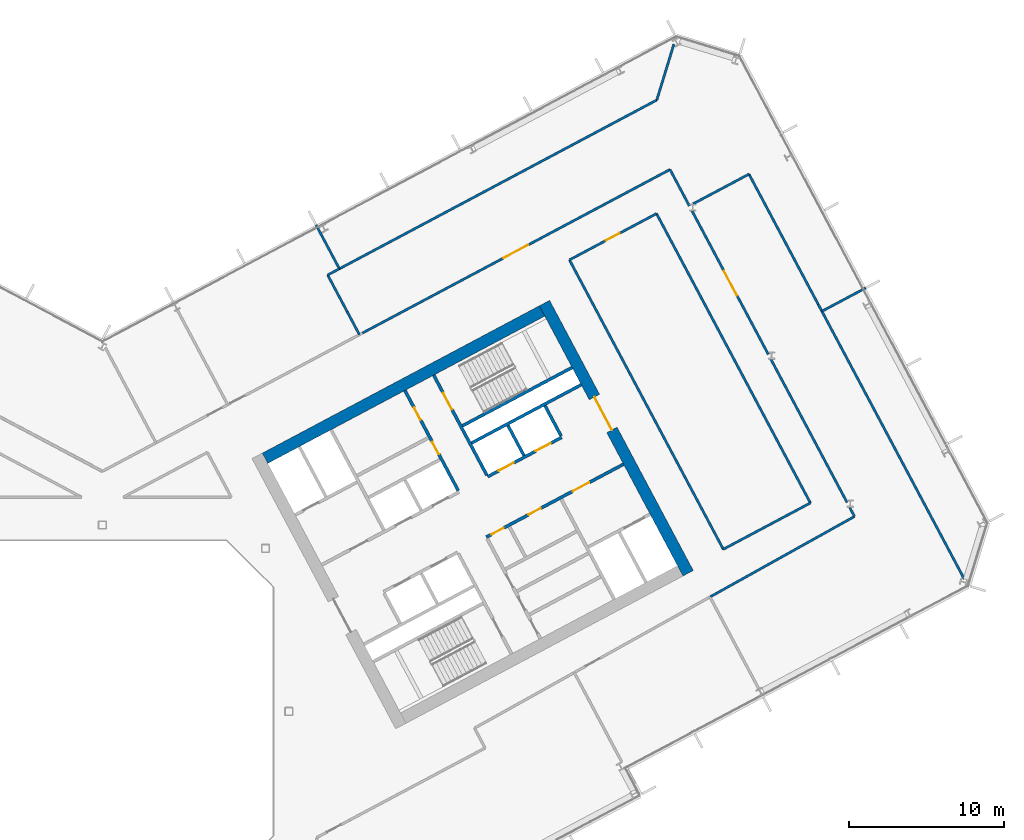
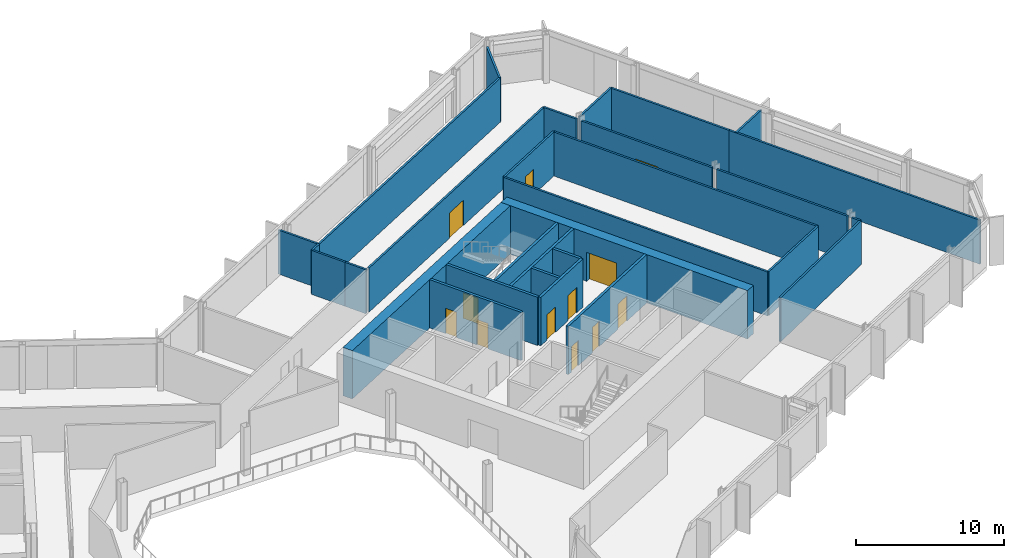
# One storey, part 17 of 28: 30 walls, 12 doors, 12 openings.
"""IFC4 building model written with IfcOpenShell, lengths in metres."""

from ifc_helpers import new_model, si_unit, direction, frame, frame_2d, origin, place, context, subcontext, project, spatial, rectangle, extrude, material, layer, layer_set, type_object, element, fill, save


model = new_model("IFC4")

# Units and contexts
model_context = context("Model", 3, precision=1e-05, world=origin(), true_north=direction((0.0, 1.0)))
body_context = subcontext(model_context, "Body", "Model", "MODEL_VIEW")
ifc_project = project(units=[si_unit("LENGTHUNIT", "METRE"), si_unit("AREAUNIT", "SQUARE_METRE"), si_unit("VOLUMEUNIT", "CUBIC_METRE"), si_unit("PLANEANGLEUNIT", "RADIAN"), si_unit("MASSUNIT", "GRAM", prefix="KILO")], contexts=[model_context])

# Site, building, storey
site_placement = place(None, origin())
site = spatial("IfcSite", under=ifc_project, at=site_placement, CompositionType="ELEMENT")
building_placement = place(site_placement, origin())
building = spatial("IfcBuilding", under=site, at=building_placement, Name="Cormorant Relay Tower", CompositionType="ELEMENT")
storey_placement = place(building_placement, frame((0.0, 0.0, 122.199951171875)))
storey = spatial("IfcBuildingStorey", under=building, at=storey_placement, Name="L24", CompositionType="ELEMENT", Elevation=122.199951171875)

# Wall
ifc_material_1 = material(Name="Concrete 40 MPa", Category="concrete")
ifc_layer_1 = layer(ifc_material_1, 0.199951171875)
ifc_layer_set_1 = layer_set([ifc_layer_1], Name="Core internal wall 200")
wall_type_1 = type_object("IfcWallType", Name="Core internal wall 200", PredefinedType="SOLIDWALL", material=ifc_layer_set_1)
wall_1_placement = place(storey_placement, frame((27.144287109375, 16.471435546875, 0.0), z_axis=(0.0, 0.0, 1.0), x_axis=(-0.469401318492, 0.882984938828, 0.0)))
element("IfcWall", 1, at=wall_1_placement, inside=storey, type_object=wall_type_1, Name="L24 core B shaft and room wall", PredefinedType="SOLIDWALL", context=body_context, shape_type="SweptSolid", body=[
    extrude(rectangle(XDim=2.199951171875, YDim=0.199951171875, at=frame_2d((1.10009765625, 0.0))), origin(), (0.0, 0.0, 1.0), 4.0),
])

# Wall, openings, doors
ifc_material_2 = material(Name="Concrete 50 MPa", Category="concrete")
ifc_layer_2 = layer(ifc_material_2, 0.199951171875)
ifc_layer_set_2 = layer_set([ifc_layer_2], Name="Core shaft wall 200")
wall_type_2 = type_object("IfcWallType", Name="Core shaft wall 200", PredefinedType="SHEAR", material=ifc_layer_set_2)
wall_2_placement = place(storey_placement, frame((22.90625, 14.218017578125, 0.0), z_axis=(0.0, 0.0, 1.0), x_axis=(-0.469480409012, 0.88294288918, 0.0)))
wall_2 = element("IfcWall", 2, at=wall_2_placement, inside=storey, type_object=wall_type_2, Name="L24 core B shaft wall", PredefinedType="SHEAR", context=body_context, shape_type="SweptSolid", body=[
    extrude(rectangle(XDim=7.300048828125, YDim=0.199951171875, at=frame_2d((3.64990234375, 0.0))), origin(), (0.0, 0.0, 1.0), 4.0),
])
opening_1_placement = place(wall_2_placement, frame((2.64990234375, 0.0, 0.0)))
opening_1 = element("IfcOpeningElement", 3, at=opening_1_placement, cuts=wall_2, Name="Opening CDD-179", PredefinedType="OPENING", context=body_context, shape_type="SweptSolid", body=[
    extrude(rectangle(XDim=0.89990234375, YDim=2.10009765625, at=frame_2d((0.449951171875, 1.050048828125))), frame((0.0, 0.10986328125, 0.0), z_axis=(0.0, -1.0, 0.0), x_axis=(1.0, 0.0, 0.0)), (0.0, 0.0, 1.0), 0.219970703125),
])
opening_2_placement = place(wall_2_placement, frame((5.14990234375, 0.0, 0.0)))
opening_2 = element("IfcOpeningElement", 4, at=opening_2_placement, cuts=wall_2, Name="Opening CDD-180", PredefinedType="OPENING", context=body_context, shape_type="SweptSolid", body=[
    extrude(rectangle(XDim=0.89990234375, YDim=2.10009765625, at=frame_2d((0.449951171875, 1.050048828125))), frame((0.0, 0.10986328125, 0.0), z_axis=(0.0, -1.0, 0.0), x_axis=(1.0, 0.0, 0.0)), (0.0, 0.0, 1.0), 0.219970703125),
])
ifc_material_3 = material(Name="Steel fire door", Category="steel")
door_type_1 = type_object("IfcDoorType", Name="Core room door 900x2100", OperationType="SINGLE_SWING_LEFT", PredefinedType="DOOR", material=ifc_material_3)
door_1_placement = place(opening_1_placement, frame((0.89990234375, 0.0, 0.0), z_axis=(0.0, 0.0, 1.0), x_axis=(-1.0, 0.0, 0.0)))
door_1 = element("IfcDoor", 5, at=door_1_placement, inside=storey, type_object=door_type_1, Name="Core room door 900x2100", OperationType="SINGLE_SWING_LEFT", OverallHeight=2.10009765625, OverallWidth=0.89990234375, PredefinedType="DOOR", context=body_context, shape_type="SweptSolid", body=[
    extrude(rectangle(XDim=0.89990234375, YDim=2.10009765625, at=frame_2d((0.449951171875, 1.050048828125))), frame((0.0, 0.02490234375, 0.0), z_axis=(0.0, -1.0, 0.0), x_axis=(1.0, 0.0, 0.0)), (0.0, 0.0, 1.0), 0.050048828125),
])
fill(opening_1, door_1)
door_2_placement = place(opening_2_placement, frame((0.89990234375, 0.0, 0.0), z_axis=(0.0, 0.0, 1.0), x_axis=(-1.0, 0.0, 0.0)))
door_2 = element("IfcDoor", 6, at=door_2_placement, inside=storey, type_object=door_type_1, Name="Core room door 900x2100", OperationType="SINGLE_SWING_LEFT", OverallHeight=2.10009765625, OverallWidth=0.89990234375, PredefinedType="DOOR", context=body_context, shape_type="SweptSolid", body=[
    extrude(rectangle(XDim=0.89990234375, YDim=2.10009765625, at=frame_2d((0.449951171875, 1.050048828125))), frame((0.0, 0.02490234375, 0.0), z_axis=(0.0, -1.0, 0.0), x_axis=(1.0, 0.0, 0.0)), (0.0, 0.0, 1.0), 0.050048828125),
])
fill(opening_2, door_2)

# Wall, opening, door
wall_3_placement = place(storey_placement, frame((24.760498046875, 15.2041015625, 0.0), z_axis=(0.0, 0.0, 1.0), x_axis=(-0.469494272526, 0.882935517501, 0.0)))
wall_3 = element("IfcWall", 7, at=wall_3_placement, inside=storey, type_object=wall_type_2, Name="L24 core B shaft wall", PredefinedType="SHEAR", context=body_context, shape_type="SweptSolid", body=[
    extrude(rectangle(XDim=7.2998046875, YDim=0.199951171875, at=frame_2d((3.64990234375, 0.0))), origin(), (0.0, 0.0, 1.0), 4.0),
])
opening_3_placement = place(wall_3_placement, frame((4.800048828125, 0.0, 0.0)))
opening_3 = element("IfcOpeningElement", 8, at=opening_3_placement, cuts=wall_3, Name="Opening CDB-037", PredefinedType="OPENING", context=body_context, shape_type="SweptSolid", body=[
    extrude(rectangle(XDim=1.199951171875, YDim=2.10009765625, at=frame_2d((0.60009765625, 1.050048828125))), frame((0.0, 0.10986328125, 0.0), z_axis=(0.0, -1.0, 0.0), x_axis=(1.0, 0.0, 0.0)), (0.0, 0.0, 1.0), 0.219970703125),
])
ifc_material_4 = material(Name="Steel fire door", Category="steel")
door_type_2 = type_object("IfcDoorType", Name="Core stair door 1200x2100", OperationType="SINGLE_SWING_LEFT", PredefinedType="DOOR", material=ifc_material_4)
door_3_placement = place(opening_3_placement, frame((1.199951171875, 0.0, 0.0), z_axis=(0.0, 0.0, 1.0), x_axis=(-1.0, 0.0, 0.0)))
door_3 = element("IfcDoor", 9, at=door_3_placement, inside=storey, type_object=door_type_2, Name="Core stair door 1200x2100", OperationType="SINGLE_SWING_RIGHT", OverallHeight=2.10009765625, OverallWidth=1.199951171875, PredefinedType="DOOR", context=body_context, shape_type="SweptSolid", body=[
    extrude(rectangle(XDim=1.199951171875, YDim=2.10009765625, at=frame_2d((0.60009765625, 1.050048828125))), frame((0.0, 0.02490234375, 0.0), z_axis=(0.0, -1.0, 0.0), x_axis=(1.0, 0.0, 0.0)), (0.0, 0.0, 1.0), 0.050048828125),
])
fill(opening_3, door_3)

# Wall
wall_4_placement = place(storey_placement, frame((29.5283203125, 17.739013671875, 0.0), z_axis=(0.0, 0.0, 1.0), x_axis=(-0.469401318492, 0.882984938828, 0.0)))
element("IfcWall", 10, at=wall_4_placement, inside=storey, type_object=wall_type_2, Name="L24 core B shaft wall", PredefinedType="SHEAR", context=body_context, shape_type="SweptSolid", body=[
    extrude(rectangle(XDim=2.199951171875, YDim=0.199951171875, at=frame_2d((1.10009765625, 0.0))), origin(), (0.0, 0.0, 1.0), 4.0),
])

# Wall, openings, doors
wall_5_placement = place(storey_placement, frame((24.72607421875, 11.2216796875, 0.0), z_axis=(0.0, 0.0, 1.0), x_axis=(0.882940221191, 0.469485426614, 0.0)))
wall_5 = element("IfcWall", 11, at=wall_5_placement, inside=storey, type_object=wall_type_2, Name="L24 core B shaft wall", PredefinedType="SHEAR", context=body_context, shape_type="SweptSolid", body=[
    extrude(rectangle(XDim=10.0, YDim=0.199951171875, at=frame_2d((5.0, 0.0))), origin(), (0.0, 0.0, 1.0), 4.0),
])
opening_4_placement = place(wall_5_placement, frame((6.300048828125, 0.0, 0.0)))
opening_4 = element("IfcOpeningElement", 12, at=opening_4_placement, cuts=wall_5, Name="Opening CDC-028", PredefinedType="OPENING", context=body_context, shape_type="SweptSolid", body=[
    extrude(rectangle(XDim=1.199951171875, YDim=2.10009765625, at=frame_2d((0.60009765625, 1.050048828125))), frame((0.0, 0.10986328125, 0.0), z_axis=(0.0, -1.0, 0.0), x_axis=(1.0, 0.0, 0.0)), (0.0, 0.0, 1.0), 0.219970703125),
])
opening_5_placement = place(wall_5_placement, frame((0.360107421875, 0.0, 0.0)))
opening_5 = element("IfcOpeningElement", 13, at=opening_5_placement, cuts=wall_5, Name="Opening CDD-177", PredefinedType="OPENING", context=body_context, shape_type="SweptSolid", body=[
    extrude(rectangle(XDim=0.89990234375, YDim=2.10009765625, at=frame_2d((0.449951171875, 1.050048828125))), frame((0.0, 0.10986328125, 0.0), z_axis=(0.0, -1.0, 0.0), x_axis=(1.0, 0.0, 0.0)), (0.0, 0.0, 1.0), 0.219970703125),
])
opening_6_placement = place(wall_5_placement, frame((3.06005859375, 0.0, 0.0)))
opening_6 = element("IfcOpeningElement", 14, at=opening_6_placement, cuts=wall_5, Name="Opening CDD-178", PredefinedType="OPENING", context=body_context, shape_type="SweptSolid", body=[
    extrude(rectangle(XDim=0.89990234375, YDim=2.10009765625, at=frame_2d((0.449951171875, 1.050048828125))), frame((0.0, 0.10986328125, 0.0), z_axis=(0.0, -1.0, 0.0), x_axis=(1.0, 0.0, 0.0)), (0.0, 0.0, 1.0), 0.219970703125),
])
ifc_material_5 = material(Name="Steel fire door", Category="steel")
door_type_3 = type_object("IfcDoorType", Name="Core lobby door 1200x2100", OperationType="SINGLE_SWING_LEFT", PredefinedType="DOOR", material=ifc_material_5)
door_4_placement = place(opening_4_placement, frame((1.199951171875, 0.0, 0.0), z_axis=(0.0, 0.0, 1.0), x_axis=(-1.0, 0.0, 0.0)))
door_4 = element("IfcDoor", 15, at=door_4_placement, inside=storey, type_object=door_type_3, Name="Core lobby door 1200x2100", OperationType="SINGLE_SWING_RIGHT", OverallHeight=2.10009765625, OverallWidth=1.199951171875, PredefinedType="DOOR", context=body_context, shape_type="SweptSolid", body=[
    extrude(rectangle(XDim=1.199951171875, YDim=2.10009765625, at=frame_2d((0.60009765625, 1.050048828125))), frame((0.0, 0.02490234375, 0.0), z_axis=(0.0, -1.0, 0.0), x_axis=(1.0, 0.0, 0.0)), (0.0, 0.0, 1.0), 0.050048828125),
])
fill(opening_4, door_4)
door_5_placement = place(opening_5_placement, frame((0.89990234375, 0.0, 0.0), z_axis=(0.0, 0.0, 1.0), x_axis=(-1.0, 0.0, 0.0)))
door_5 = element("IfcDoor", 16, at=door_5_placement, inside=storey, type_object=door_type_1, Name="Core room door 900x2100", OperationType="SINGLE_SWING_RIGHT", OverallHeight=2.10009765625, OverallWidth=0.89990234375, PredefinedType="DOOR", context=body_context, shape_type="SweptSolid", body=[
    extrude(rectangle(XDim=0.89990234375, YDim=2.10009765625, at=frame_2d((0.449951171875, 1.050048828125))), frame((0.0, 0.02490234375, 0.0), z_axis=(0.0, -1.0, 0.0), x_axis=(1.0, 0.0, 0.0)), (0.0, 0.0, 1.0), 0.050048828125),
])
fill(opening_5, door_5)
door_6_placement = place(opening_6_placement, frame((0.89990234375, 0.0, 0.0), z_axis=(0.0, 0.0, 1.0), x_axis=(-1.0, 0.0, 0.0)))
door_6 = element("IfcDoor", 17, at=door_6_placement, inside=storey, type_object=door_type_1, Name="Core room door 900x2100", OperationType="SINGLE_SWING_RIGHT", OverallHeight=2.10009765625, OverallWidth=0.89990234375, PredefinedType="DOOR", context=body_context, shape_type="SweptSolid", body=[
    extrude(rectangle(XDim=0.89990234375, YDim=2.10009765625, at=frame_2d((0.449951171875, 1.050048828125))), frame((0.0, 0.02490234375, 0.0), z_axis=(0.0, -1.0, 0.0), x_axis=(1.0, 0.0, 0.0)), (0.0, 0.0, 1.0), 0.050048828125),
])
fill(opening_6, door_6)

wall_6_placement = place(storey_placement, frame((24.807373046875, 15.11572265625, 0.0), z_axis=(0.0, 0.0, 1.0), x_axis=(0.882942972946, 0.469480251476, 0.0)))
wall_6 = element("IfcWall", 18, at=wall_6_placement, inside=storey, type_object=wall_type_2, Name="L24 core B shaft wall", PredefinedType="SHEAR", context=body_context, shape_type="SweptSolid", body=[
    extrude(rectangle(XDim=5.39990234375, YDim=0.199951171875, at=frame_2d((2.699951171875, 0.0))), origin(), (0.0, 0.0, 1.0), 4.0),
])
opening_7_placement = place(wall_6_placement, frame((0.800048828125, 0.0, 0.0)))
opening_7 = element("IfcOpeningElement", 19, at=opening_7_placement, cuts=wall_6, Name="Opening LD1-046", PredefinedType="OPENING", context=body_context, shape_type="SweptSolid", body=[
    extrude(rectangle(XDim=1.10009765625, YDim=2.10009765625, at=frame_2d((0.550048828125, 1.050048828125))), frame((0.0, 0.10986328125, 0.0), z_axis=(0.0, -1.0, 0.0), x_axis=(1.0, 0.0, 0.0)), (0.0, 0.0, 1.0), 0.219970703125),
])
opening_8_placement = place(wall_6_placement, frame((3.5, 0.0, 0.0)))
opening_8 = element("IfcOpeningElement", 20, at=opening_8_placement, cuts=wall_6, Name="Opening LD1-047", PredefinedType="OPENING", context=body_context, shape_type="SweptSolid", body=[
    extrude(rectangle(XDim=1.10009765625, YDim=2.10009765625, at=frame_2d((0.550048828125, 1.050048828125))), frame((0.0, 0.10986328125, 0.0), z_axis=(0.0, -1.0, 0.0), x_axis=(1.0, 0.0, 0.0)), (0.0, 0.0, 1.0), 0.219970703125),
])
ifc_material_6 = material(Name="Stainless steel 316", Category="steel")
door_type_4 = type_object("IfcDoorType", Name="Lift landing door 1100x2100", OperationType="DOUBLE_DOOR_SLIDING", PredefinedType="DOOR", material=ifc_material_6)
door_7_placement = place(opening_7_placement, origin())
door_7 = element("IfcDoor", 21, at=door_7_placement, inside=storey, type_object=door_type_4, Name="LR3 landing door", OperationType="DOUBLE_DOOR_SLIDING", OverallHeight=2.10009765625, OverallWidth=1.10009765625, PredefinedType="DOOR", context=body_context, shape_type="SweptSolid", body=[
    extrude(rectangle(XDim=1.10009765625, YDim=2.10009765625, at=frame_2d((0.550048828125, 1.050048828125))), frame((0.0, 0.02490234375, 0.0), z_axis=(0.0, -1.0, 0.0), x_axis=(1.0, 0.0, 0.0)), (0.0, 0.0, 1.0), 0.050048828125),
])
fill(opening_7, door_7)
door_8_placement = place(opening_8_placement, origin())
door_8 = element("IfcDoor", 22, at=door_8_placement, inside=storey, type_object=door_type_4, Name="LR4 landing door", OperationType="DOUBLE_DOOR_SLIDING", OverallHeight=2.10009765625, OverallWidth=1.10009765625, PredefinedType="DOOR", context=body_context, shape_type="SweptSolid", body=[
    extrude(rectangle(XDim=1.10009765625, YDim=2.10009765625, at=frame_2d((0.550048828125, 1.050048828125))), frame((0.0, 0.02490234375, 0.0), z_axis=(0.0, -1.0, 0.0), x_axis=(1.0, 0.0, 0.0)), (0.0, 0.0, 1.0), 0.050048828125),
])
fill(opening_8, door_8)

# Walls
wall_7_placement = place(storey_placement, frame((23.76904296875, 17.28173828125, 0.0), z_axis=(0.0, 0.0, 1.0), x_axis=(0.882940221191, 0.469485426614, 0.0)))
element("IfcWall", 23, at=wall_7_placement, inside=storey, type_object=wall_type_2, Name="L24 core B shaft wall", PredefinedType="SHEAR", context=body_context, shape_type="SweptSolid", body=[
    extrude(rectangle(XDim=8.0, YDim=0.199951171875, at=frame_2d((4.0, 0.0))), origin(), (0.0, 0.0, 1.0), 4.0),
])
wall_8_placement = place(storey_placement, frame((23.18212890625, 18.385498046875, 0.0), z_axis=(0.0, 0.0, 1.0), x_axis=(0.88295287151, 0.469461634952, 0.0)))
element("IfcWall", 24, at=wall_8_placement, inside=storey, type_object=wall_type_2, Name="L24 core B shaft wall", PredefinedType="SHEAR", context=body_context, shape_type="SweptSolid", body=[
    extrude(rectangle(XDim=7.999755859375, YDim=0.199951171875, at=frame_2d((4.0, 0.0))), origin(), (0.0, 0.0, 1.0), 4.0),
])

# Wall, opening, door
ifc_material_7 = material(Name="Concrete 60 MPa", Category="concrete")
ifc_layer_3 = layer(ifc_material_7, 0.75)
ifc_layer_set_3 = layer_set([ifc_layer_3], Name="Core wall 750")
wall_type_3 = type_object("IfcWallType", Name="Core wall 750", PredefinedType="SHEAR", material=ifc_layer_set_3)
wall_9_placement = place(storey_placement, frame((37.712646484375, 8.896484375, 0.0), z_axis=(0.0, 0.0, 1.0), x_axis=(-0.469469918705, 0.88294846703, 0.0)))
wall_9 = element("IfcWall", 25, at=wall_9_placement, inside=storey, type_object=wall_type_3, Name="L24 core B wall", PredefinedType="SHEAR", context=body_context, shape_type="SweptSolid", body=[
    extrude(rectangle(XDim=19.699951171875, YDim=0.75, at=frame_2d((9.85009765625, 0.0))), origin(), (0.0, 0.0, 1.0), 4.0),
])
opening_9_placement = place(wall_9_placement, frame((10.449951171875, 0.0, 0.0)))
opening_9 = element("IfcOpeningElement", 26, at=opening_9_placement, cuts=wall_9, Name="Opening CDA-029", PredefinedType="OPENING", context=body_context, shape_type="SweptSolid", body=[
    extrude(rectangle(XDim=2.39990234375, YDim=2.39990234375, at=frame_2d((1.199951171875, 1.199951171875))), frame((0.0, 0.385009765625, 0.0), z_axis=(0.0, -1.0, 0.0), x_axis=(1.0, 0.0, 0.0)), (0.0, 0.0, 1.0), 0.77001953125),
])
ifc_material_8 = material(Name="Steel fire door", Category="steel")
door_type_5 = type_object("IfcDoorType", Name="Core lobby door 2400x2400", OperationType="DOUBLE_DOOR_SINGLE_SWING", PredefinedType="DOOR", material=ifc_material_8)
door_9_placement = place(opening_9_placement, origin())
door_9 = element("IfcDoor", 27, at=door_9_placement, inside=storey, type_object=door_type_5, Name="Core lobby door 2400x2400", OperationType="DOUBLE_DOOR_SINGLE_SWING", OverallHeight=2.39990234375, OverallWidth=2.39990234375, PredefinedType="DOOR", context=body_context, shape_type="SweptSolid", body=[
    extrude(rectangle(XDim=2.39990234375, YDim=2.39990234375, at=frame_2d((1.199951171875, 1.199951171875))), frame((0.0, 0.02490234375, 0.0), z_axis=(0.0, -1.0, 0.0), x_axis=(1.0, 0.0, 0.0)), (0.0, 0.0, 1.0), 0.050048828125),
])
fill(opening_9, door_9)

# Walls
wall_10_placement = place(storey_placement, frame((10.4736328125, 16.300048828125, 0.0), z_axis=(0.0, 0.0, 1.0), x_axis=(0.88295010195, 0.469466843842, 0.0)))
element("IfcWall", 28, at=wall_10_placement, inside=storey, type_object=wall_type_3, Name="L24 core B wall", PredefinedType="SHEAR", context=body_context, shape_type="SweptSolid", body=[
    extrude(rectangle(XDim=20.199951171875, YDim=0.75, at=frame_2d((10.10009765625, 0.0))), origin(), (0.0, 0.0, 1.0), 4.0),
])
ifc_material_9 = material(Name="Gypsum board fire partition")
ifc_layer_4 = layer(ifc_material_9, 0.14990234375)
ifc_layer_set_4 = layer_set([ifc_layer_4], Name="Corridor partition 150 EI 60")
wall_type_4 = type_object("IfcWallType", Name="Corridor partition 150 EI 60", PredefinedType="PARTITIONING", material=ifc_layer_set_4)
wall_11_placement = place(storey_placement, frame((37.7890625, 32.556884765625, 0.0), z_axis=(0.0, 0.0, 1.0), x_axis=(-0.469557862383, 0.882901701139, 0.0)))
element("IfcWall", 29, at=wall_11_placement, inside=storey, type_object=wall_type_4, Name="wall/L24/part/061", PredefinedType="PARTITIONING", context=body_context, shape_type="SweptSolid", body=[
    extrude(rectangle(XDim=2.64501953125, YDim=0.14990234375, at=frame_2d((1.322509765625, 0.0))), origin(), (0.0, 0.0, 1.0), 3.64013671875),
])

# Wall, opening, door
wall_12_placement = place(storey_placement, frame((36.547119140625, 34.89208984375, 0.0), z_axis=(0.0, 0.0, 1.0), x_axis=(-0.882949665217, -0.469467665226, 0.0)))
wall_12 = element("IfcWall", 30, at=wall_12_placement, inside=storey, type_object=wall_type_4, Name="wall/L24/part/062", PredefinedType="PARTITIONING", context=body_context, shape_type="SweptSolid", body=[
    extrude(rectangle(XDim=22.431884765625, YDim=0.14990234375, at=frame_2d((11.2158203125, 0.0))), origin(), (0.0, 0.0, 1.0), 3.64013671875),
])
opening_10_placement = place(wall_12_placement, frame((10.35009765625, 0.0, 0.0)))
opening_10 = element("IfcOpeningElement", 31, at=opening_10_placement, cuts=wall_12, Name="Opening DD-003", PredefinedType="OPENING", context=body_context, shape_type="SweptSolid", body=[
    extrude(rectangle(XDim=1.800048828125, YDim=2.10009765625, at=frame_2d((0.89990234375, 1.050048828125))), frame((0.0, 0.0849609375, 0.0), z_axis=(0.0, -1.0, 0.0), x_axis=(1.0, 0.0, 0.0)), (0.0, 0.0, 1.0), 0.169921875),
])
ifc_material_10 = material(Name="Timber door leaf", Category="wood")
door_type_6 = type_object("IfcDoorType", Name="Suite double door 1800x2100", OperationType="DOUBLE_DOOR_SINGLE_SWING", PredefinedType="DOOR", material=ifc_material_10)
door_10_placement = place(opening_10_placement, frame((1.800048828125, 0.0, 0.0), z_axis=(0.0, 0.0, 1.0), x_axis=(-1.0, 0.0, 0.0)))
door_10 = element("IfcDoor", 32, at=door_10_placement, inside=storey, type_object=door_type_6, Name="door/L24/007", OperationType="DOUBLE_DOOR_SINGLE_SWING", OverallHeight=2.10009765625, OverallWidth=1.800048828125, PredefinedType="DOOR", context=body_context, shape_type="SweptSolid", body=[
    extrude(rectangle(XDim=1.800048828125, YDim=2.10009765625, at=frame_2d((0.89990234375, 1.050048828125))), frame((0.0, 0.02490234375, 0.0), z_axis=(0.0, -1.0, 0.0), x_axis=(1.0, 0.0, 0.0)), (0.0, 0.0, 1.0), 0.050048828125),
])
fill(opening_10, door_10)

wall_13_placement = place(storey_placement, frame((37.972900390625, 32.208984375, 0.0), z_axis=(0.0, 0.0, 1.0), x_axis=(0.469526119231, -0.88291858252, 0.0)))
wall_13 = element("IfcWall", 33, at=wall_13_placement, inside=storey, type_object=wall_type_4, Name="wall/L24/part/068", PredefinedType="PARTITIONING", context=body_context, shape_type="SweptSolid", body=[
    extrude(rectangle(XDim=10.442626953125, YDim=0.14990234375, at=frame_2d((5.22119140625, 0.0))), origin(), (0.0, 0.0, 1.0), 3.64013671875),
])
opening_11_placement = place(wall_13_placement, frame((4.35009765625, 0.0, 0.0)))
opening_11 = element("IfcOpeningElement", 34, at=opening_11_placement, cuts=wall_13, Name="Opening DD-002", PredefinedType="OPENING", context=body_context, shape_type="SweptSolid", body=[
    extrude(rectangle(XDim=1.800048828125, YDim=2.10009765625, at=frame_2d((0.89990234375, 1.050048828125))), frame((0.0, 0.0849609375, 0.0), z_axis=(0.0, -1.0, 0.0), x_axis=(1.0, 0.0, 0.0)), (0.0, 0.0, 1.0), 0.169921875),
])
door_11_placement = place(opening_11_placement, origin())
door_11 = element("IfcDoor", 35, at=door_11_placement, inside=storey, type_object=door_type_6, Name="door/L24/006", OperationType="DOUBLE_DOOR_SINGLE_SWING", OverallHeight=2.10009765625, OverallWidth=1.800048828125, PredefinedType="DOOR", context=body_context, shape_type="SweptSolid", body=[
    extrude(rectangle(XDim=1.800048828125, YDim=2.10009765625, at=frame_2d((0.89990234375, 1.050048828125))), frame((0.0, 0.02490234375, 0.0), z_axis=(0.0, -1.0, 0.0), x_axis=(1.0, 0.0, 0.0)), (0.0, 0.0, 1.0), 0.050048828125),
])
fill(opening_11, door_11)

# Walls
wall_14_placement = place(storey_placement, frame((43.0439453125, 22.672119140625, 0.0), z_axis=(0.0, 0.0, 1.0), x_axis=(0.469530755038, -0.882916117235, 0.0)))
element("IfcWall", 36, at=wall_14_placement, inside=storey, type_object=wall_type_4, Name="wall/L24/part/069", PredefinedType="PARTITIONING", context=body_context, shape_type="SweptSolid", body=[
    extrude(rectangle(XDim=10.4404296875, YDim=0.14990234375, at=frame_2d((5.22021484375, 0.0))), origin(), (0.0, 0.0, 1.0), 3.64013671875),
])
wall_15_placement = place(storey_placement, frame((48.114990234375, 13.135986328125, 0.0), z_axis=(0.0, 0.0, 1.0), x_axis=(0.469551655302, -0.882905002253, 0.0)))
element("IfcWall", 37, at=wall_15_placement, inside=storey, type_object=wall_type_4, Name="wall/L24/part/070", PredefinedType="PARTITIONING", context=body_context, shape_type="SweptSolid", body=[
    extrude(rectangle(XDim=0.660400390625, YDim=0.14990234375, at=frame_2d((0.330078125, 0.0))), origin(), (0.0, 0.0, 1.0), 3.64013671875),
])
wall_16_placement = place(storey_placement, frame((48.425048828125, 12.552978515625, 0.0), z_axis=(0.0, 0.0, 1.0), x_axis=(-0.873557655627, -0.486720682009, 0.0)))
element("IfcWall", 38, at=wall_16_placement, inside=storey, type_object=wall_type_4, Name="wall/L24/part/071", PredefinedType="PARTITIONING", context=body_context, shape_type="SweptSolid", body=[
    extrude(rectangle(XDim=10.632568359375, YDim=0.14990234375, at=frame_2d((5.31640625, 0.0))), origin(), (0.0, 0.0, 1.0), 3.64013671875),
])

# Wall, opening, door
wall_17_placement = place(storey_placement, frame((30.072021484375, 29.071044921875, 0.0), z_axis=(0.0, 0.0, 1.0), x_axis=(0.882967334814, 0.469434431685, 0.0)))
wall_17 = element("IfcWall", 39, at=wall_17_placement, inside=storey, type_object=wall_type_4, Name="wall/L24/part/083", PredefinedType="PARTITIONING", context=body_context, shape_type="SweptSolid", body=[
    extrude(rectangle(XDim=6.35009765625, YDim=0.14990234375, at=frame_2d((3.175048828125, 0.0))), origin(), (0.0, 0.0, 1.0), 3.64013671875),
])
opening_12_placement = place(wall_17_placement, frame((2.64990234375, 0.0, 0.0)))
opening_12 = element("IfcOpeningElement", 40, at=opening_12_placement, cuts=wall_17, Name="Opening DS-017", PredefinedType="OPENING", context=body_context, shape_type="SweptSolid", body=[
    extrude(rectangle(XDim=1.0, YDim=2.10009765625, at=frame_2d((0.5, 1.050048828125))), frame((0.0, 0.0849609375, 0.0), z_axis=(0.0, -1.0, 0.0), x_axis=(1.0, 0.0, 0.0)), (0.0, 0.0, 1.0), 0.169921875),
])
ifc_material_11 = material(Name="Timber door leaf", Category="wood")
door_type_7 = type_object("IfcDoorType", Name="Suite door 1000x2100", OperationType="SINGLE_SWING_LEFT", PredefinedType="DOOR", material=ifc_material_11)
door_12_placement = place(opening_12_placement, origin())
door_12 = element("IfcDoor", 41, at=door_12_placement, inside=storey, type_object=door_type_7, Name="door/L24/021", OperationType="SINGLE_SWING_LEFT", OverallHeight=2.10009765625, OverallWidth=1.0, PredefinedType="DOOR", context=body_context, shape_type="SweptSolid", body=[
    extrude(rectangle(XDim=1.0, YDim=2.10009765625, at=frame_2d((0.5, 1.050048828125))), frame((0.0, 0.02490234375, 0.0), z_axis=(0.0, -1.0, 0.0), x_axis=(1.0, 0.0, 0.0)), (0.0, 0.0, 1.0), 0.050048828125),
])
fill(opening_12, door_12)

# Walls
wall_18_placement = place(storey_placement, frame((35.678955078125, 32.052001953125, 0.0), z_axis=(0.0, 0.0, 1.0), x_axis=(0.469483439962, -0.88294127755, 0.0)))
element("IfcWall", 42, at=wall_18_placement, inside=storey, type_object=wall_type_4, Name="wall/L24/part/084", PredefinedType="PARTITIONING", context=body_context, shape_type="SweptSolid", body=[
    extrude(rectangle(XDim=21.099853515625, YDim=0.14990234375, at=frame_2d((10.5498046875, 0.0))), origin(), (0.0, 0.0, 1.0), 3.64013671875),
])
wall_19_placement = place(storey_placement, frame((45.5849609375, 13.422119140625, 0.0), z_axis=(0.0, 0.0, 1.0), x_axis=(-0.88295139861, -0.469464405139, 0.0)))
element("IfcWall", 43, at=wall_19_placement, inside=storey, type_object=wall_type_4, Name="wall/L24/part/085", PredefinedType="PARTITIONING", context=body_context, shape_type="SweptSolid", body=[
    extrude(rectangle(XDim=6.35009765625, YDim=0.14990234375, at=frame_2d((3.175048828125, 0.0))), origin(), (0.0, 0.0, 1.0), 3.64013671875),
])
wall_20_placement = place(storey_placement, frame((39.97802734375, 10.44091796875, 0.0), z_axis=(0.0, 0.0, 1.0), x_axis=(-0.469478643621, 0.882943827876, 0.0)))
element("IfcWall", 44, at=wall_20_placement, inside=storey, type_object=wall_type_4, Name="wall/L24/part/086", PredefinedType="PARTITIONING", context=body_context, shape_type="SweptSolid", body=[
    extrude(rectangle(XDim=21.10009765625, YDim=0.14990234375, at=frame_2d((10.550048828125, 0.0))), origin(), (0.0, 0.0, 1.0), 3.64013671875),
])
ifc_material_12 = material(Name="Gypsum board partition")
ifc_layer_5 = layer(ifc_material_12, 0.14990234375)
ifc_layer_set_5 = layer_set([ifc_layer_5], Name="Tenant partition 150")
wall_type_5 = type_object("IfcWallType", Name="Tenant partition 150", PredefinedType="PARTITIONING", material=ifc_layer_set_5)
wall_21_placement = place(storey_placement, frame((15.760986328125, 25.739013671875, 0.0), z_axis=(0.0, 0.0, 1.0), x_axis=(0.469318416257, -0.883029005278, 0.0)))
element("IfcWall", 45, at=wall_21_placement, inside=storey, type_object=wall_type_5, Name="wall/L24/part/047", PredefinedType="PARTITIONING", context=body_context, shape_type="SweptSolid", body=[
    extrude(rectangle(XDim=1.67724609375, YDim=0.14990234375, at=frame_2d((0.838623046875, 0.0))), origin(), (0.0, 0.0, 1.0), 3.64013671875),
])
wall_22_placement = place(storey_placement, frame((13.757080078125, 31.324951171875, 0.0), z_axis=(0.0, 0.0, 1.0), x_axis=(0.469685095616, -0.882834022315, 0.0)))
element("IfcWall", 46, at=wall_22_placement, inside=storey, type_object=wall_type_5, Name="wall/L24/part/054", PredefinedType="PARTITIONING", context=body_context, shape_type="SweptSolid", body=[
    extrude(rectangle(XDim=3.199951171875, YDim=0.14990234375, at=frame_2d((1.60009765625, 0.0))), origin(), (0.0, 0.0, 1.0), 3.64013671875),
])
wall_23_placement = place(storey_placement, frame((15.258056640625, 28.4990234375, 0.0), z_axis=(0.0, 0.0, 1.0), x_axis=(0.882941691772, 0.469482660948, 0.0)))
element("IfcWall", 47, at=wall_23_placement, inside=storey, type_object=wall_type_5, Name="wall/L24/part/055", PredefinedType="PARTITIONING", context=body_context, shape_type="SweptSolid", body=[
    extrude(rectangle(XDim=23.148681640625, YDim=0.14990234375, at=frame_2d((11.57421875, 0.0))), origin(), (0.0, 0.0, 1.0), 3.64013671875),
])
wall_24_placement = place(storey_placement, frame((35.697021484375, 39.366943359375, 0.0), z_axis=(0.0, 0.0, 1.0), x_axis=(0.292517637823, 0.956260127561, 0.0)))
element("IfcWall", 48, at=wall_24_placement, inside=storey, type_object=wall_type_5, Name="wall/L24/part/056", PredefinedType="PARTITIONING", context=body_context, shape_type="SweptSolid", body=[
    extrude(rectangle(XDim=3.753173828125, YDim=0.14990234375, at=frame_2d((1.87646484375, 0.0))), origin(), (0.0, 0.0, 1.0), 3.64013671875),
])
wall_25_placement = place(storey_placement, frame((15.760986328125, 25.739013671875, 0.0), z_axis=(0.0, 0.0, 1.0), x_axis=(-0.469469065188, 0.882948920851, 0.0)))
element("IfcWall", 49, at=wall_25_placement, inside=storey, type_object=wall_type_5, Name="wall/L24/part/057", PredefinedType="PARTITIONING", context=body_context, shape_type="SweptSolid", body=[
    extrude(rectangle(XDim=2.673095703125, YDim=0.14990234375, at=frame_2d((1.33642578125, 0.0))), origin(), (0.0, 0.0, 1.0), 3.64013671875),
])
wall_26_placement = place(storey_placement, frame((14.506103515625, 28.09912109375, 0.0), z_axis=(0.0, 0.0, 1.0), x_axis=(0.882907789101, 0.469546415113, 0.0)))
element("IfcWall", 50, at=wall_26_placement, inside=storey, type_object=wall_type_5, Name="wall/L24/part/058", PredefinedType="PARTITIONING", context=body_context, shape_type="SweptSolid", body=[
    extrude(rectangle(XDim=0.8515625, YDim=0.14990234375, at=frame_2d((0.42578125, 0.0))), origin(), (0.0, 0.0, 1.0), 3.64013671875),
])
wall_27_placement = place(storey_placement, frame((46.0810546875, 26.22607421875, 0.0), z_axis=(0.0, 0.0, 1.0), x_axis=(-0.469444635522, 0.882961909812, 0.0)))
element("IfcWall", 51, at=wall_27_placement, inside=storey, type_object=wall_type_5, Name="wall/L24/part/066", PredefinedType="PARTITIONING", context=body_context, shape_type="SweptSolid", body=[
    extrude(rectangle(XDim=9.47705078125, YDim=0.14990234375, at=frame_2d((4.738525390625, 0.0))), origin(), (0.0, 0.0, 1.0), 3.64013671875),
])
wall_28_placement = place(storey_placement, frame((41.632080078125, 34.593994140625, 0.0), z_axis=(0.0, 0.0, 1.0), x_axis=(-0.88295491585, -0.469457789984, 0.0)))
element("IfcWall", 52, at=wall_28_placement, inside=storey, type_object=wall_type_5, Name="wall/L24/part/067", PredefinedType="PARTITIONING", context=body_context, shape_type="SweptSolid", body=[
    extrude(rectangle(XDim=4.0703125, YDim=0.14990234375, at=frame_2d((2.03515625, 0.0))), origin(), (0.0, 0.0, 1.0), 3.64013671875),
])
wall_29_placement = place(storey_placement, frame((46.0810546875, 26.22607421875, 0.0), z_axis=(0.0, 0.0, 1.0), x_axis=(0.469497962096, -0.88293355559, 0.0)))
element("IfcWall", 53, at=wall_29_placement, inside=storey, type_object=wall_type_5, Name="wall/L24/part/072", PredefinedType="PARTITIONING", context=body_context, shape_type="SweptSolid", body=[
    extrude(rectangle(XDim=20.031982421875, YDim=0.14990234375, at=frame_2d((10.01611328125, 0.0))), origin(), (0.0, 0.0, 1.0), 3.64013671875),
])
wall_30_placement = place(storey_placement, frame((49.152099609375, 27.26806640625, 0.0), z_axis=(0.0, 0.0, 1.0), x_axis=(-0.882819217955, -0.469712921271, 0.0)))
element("IfcWall", 54, at=wall_30_placement, inside=storey, type_object=wall_type_5, Name="wall/L24/part/073", PredefinedType="PARTITIONING", context=body_context, shape_type="SweptSolid", body=[
    extrude(rectangle(XDim=3.2001953125, YDim=0.14990234375, at=frame_2d((1.60009765625, 0.0))), origin(), (0.0, 0.0, 1.0), 3.64013671875),
])

save(model, "model.ifc")
